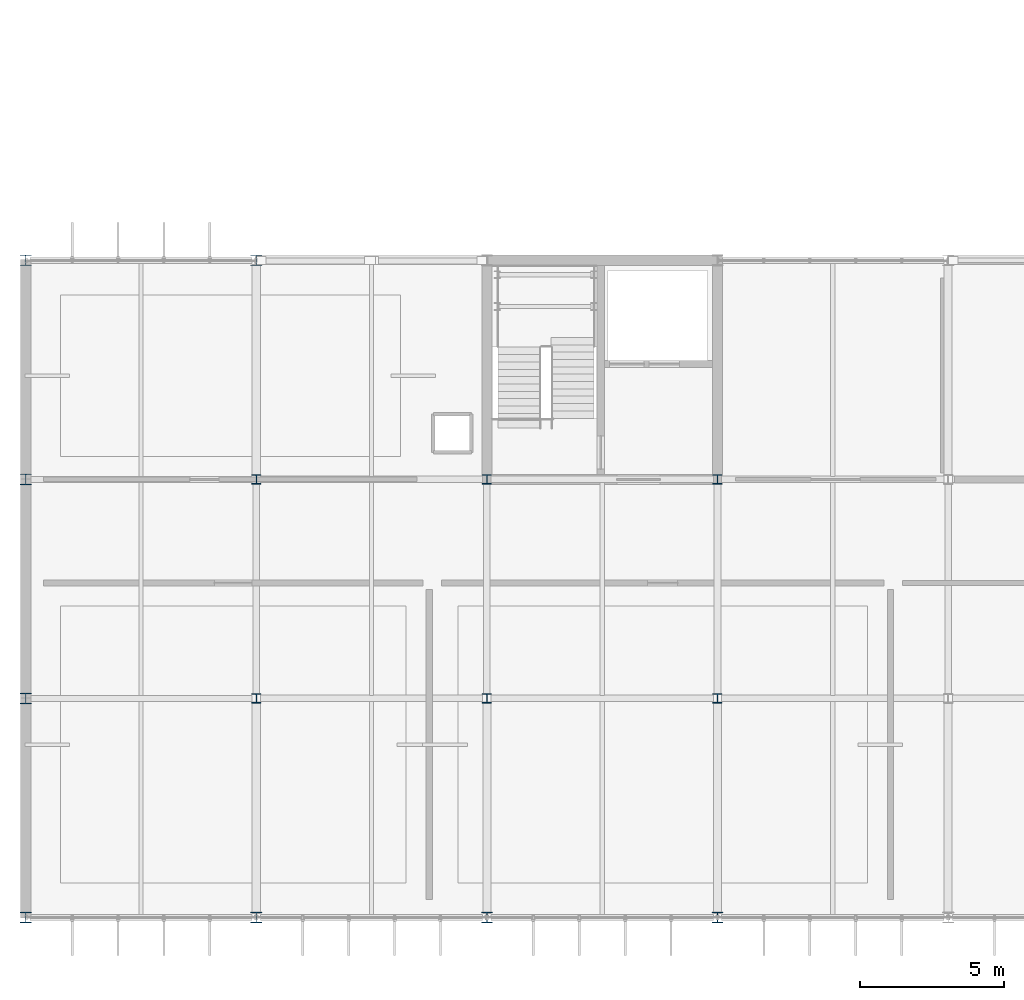
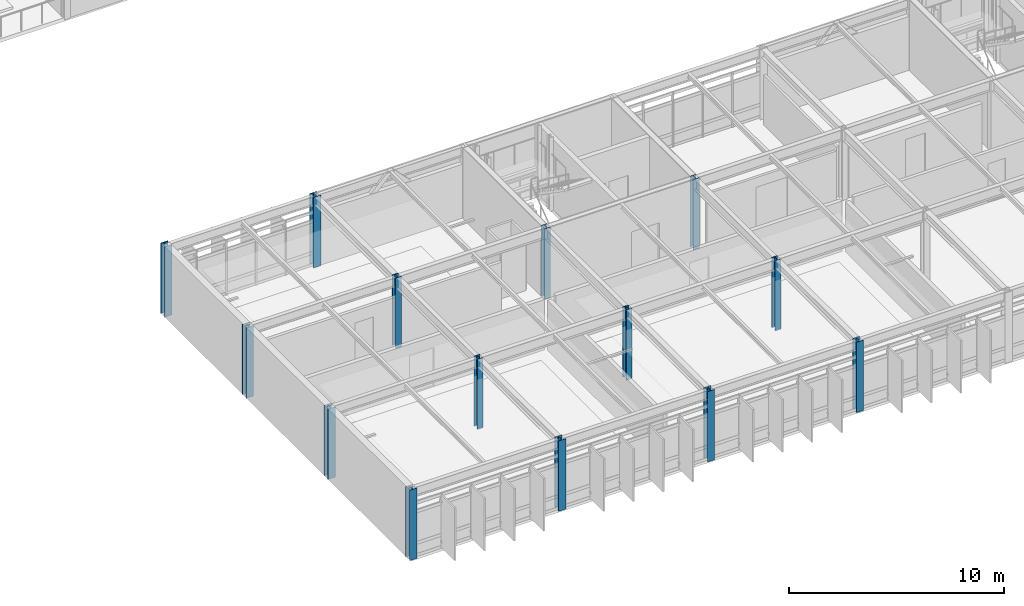
# One storey, part 1 of 85: 14 columns.
"""IFC4 building model written with IfcOpenShell, lengths in metres."""

from ifc_helpers import new_model, si_unit, direction, frame, origin, origin_2d, place, context, subcontext, project, spatial, i_section, extrude, material, material_profile, profile_set, type_object, element, save


model = new_model("IFC4")

# Units and contexts
model_context = context("Model", 3, precision=1e-05, world=origin(), true_north=direction((0.0, 1.0)))
body_context = subcontext(model_context, "Body", "Model", "MODEL_VIEW")
ifc_project = project(units=[si_unit("LENGTHUNIT", "METRE"), si_unit("AREAUNIT", "SQUARE_METRE"), si_unit("VOLUMEUNIT", "CUBIC_METRE"), si_unit("PLANEANGLEUNIT", "RADIAN"), si_unit("MASSUNIT", "GRAM", prefix="KILO")], contexts=[model_context])

# Site, building, storey
site_placement = place(None, origin())
site = spatial("IfcSite", under=ifc_project, at=site_placement, CompositionType="ELEMENT")
building_placement = place(site_placement, origin())
building = spatial("IfcBuilding", under=site, at=building_placement, Name="Zulena Civic Courthouse", CompositionType="ELEMENT")
storey_placement = place(building_placement, frame((0.0, 0.0, 25.199951171875)))
storey = spatial("IfcBuildingStorey", under=building, at=storey_placement, Name="L05", CompositionType="ELEMENT", Elevation=25.199951171875)

# Columns
ifc_material = material(Name="Steel ASTM A992 Grade 50", Category="steel")
ifc_material_profile_1 = material_profile(ifc_material, i_section(OverallWidth=0.31298828125, OverallDepth=0.3330078125, WebThickness=0.01806640625, FlangeThickness=0.0283203125, FilletRadius=0.01513671875, at=origin_2d()), Name="W12X120")
ifc_profile_set_1 = profile_set([ifc_material_profile_1], Name="Steel ASTM A992 Grade 50")
column_type_1 = type_object("IfcColumnType", Name="Col_W12X120", PredefinedType="COLUMN", material=ifc_profile_set_1)
for number, where, z_axis, x_axis, name in (
    (1, (12.0, 7.60009765625, 0.0), (0.0, 0.0, 1.0), (1.0, 0.0, 0.0), "col:V2:L05:12.0:7.6"),
    (2, (12.0, 15.199951171875, 0.0), (0.0, 0.0, 1.0), (1.0, 0.0, 0.0), "col:V2:L05:12.0:15.2"),
    (3, (20.0, 7.60009765625, 0.0), (0.0, 0.0, 1.0), (1.0, 0.0, 0.0), "col:V2:L05:20.0:7.6"),
    (4, (20.0, 15.199951171875, 0.0), (0.0, 0.0, 1.0), (1.0, 0.0, 0.0), "col:V2:L05:20.0:15.2"),
    (5, (28.0, 7.60009765625, 0.0), (0.0, 0.0, 1.0), (1.0, 0.0, 0.0), "col:V2:L05:28.0:7.6"),
    (6, (28.0, 15.199951171875, 0.0), (0.0, 0.0, 1.0), (1.0, 0.0, 0.0), "col:V2:L05:28.0:15.2"),
):
    element("IfcColumn", number, at=place(storey_placement, frame(where, z_axis=z_axis, x_axis=x_axis)), inside=storey, type_object=column_type_1, Name=name, PredefinedType="COLUMN", context=body_context, shape_type="SweptSolid", body=[
        extrude(i_section(OverallWidth=0.31298828125, OverallDepth=0.3330078125, WebThickness=0.01806640625, FlangeThickness=0.0283203125, FilletRadius=0.01513671875, at=origin_2d()), origin(), (0.0, 0.0, 1.0), 3.9951171875),
    ])
ifc_material_profile_2 = material_profile(ifc_material, i_section(OverallWidth=0.373046875, OverallDepth=0.367919921875, WebThickness=0.014892578125, FlangeThickness=0.02392578125, FilletRadius=0.01513671875, at=origin_2d()), Name="W14X120")
ifc_profile_set_2 = profile_set([ifc_material_profile_2], Name="Steel ASTM A992 Grade 50")
column_type_2 = type_object("IfcColumnType", Name="Col_W14X120", PredefinedType="COLUMN", material=ifc_profile_set_2)
for number, where, z_axis, x_axis, name in (
    (7, (20.0, 0.0, 0.0), (0.0, 0.0, 1.0), (1.0, 0.0, 0.0), "col:V2:L05:20.0:0.0"),
    (8, (28.0, 0.0, 0.0), (0.0, 0.0, 1.0), (1.0, 0.0, 0.0), "col:V2:L05:28.0:0.0"),
):
    element("IfcColumn", number, at=place(storey_placement, frame(where, z_axis=z_axis, x_axis=x_axis)), inside=storey, type_object=column_type_2, Name=name, PredefinedType="COLUMN", context=body_context, shape_type="SweptSolid", body=[
        extrude(i_section(OverallWidth=0.373046875, OverallDepth=0.367919921875, WebThickness=0.014892578125, FlangeThickness=0.02392578125, FilletRadius=0.01513671875, at=origin_2d()), origin(), (0.0, 0.0, 1.0), 3.9951171875),
    ])
ifc_material_profile_3 = material_profile(ifc_material, i_section(OverallWidth=0.39404296875, OverallDepth=0.3759765625, WebThickness=0.017333984375, FlangeThickness=0.027587890625, FilletRadius=0.01513671875, at=origin_2d()), Name="W14X145")
ifc_profile_set_3 = profile_set([ifc_material_profile_3], Name="Steel ASTM A992 Grade 50")
column_type_3 = type_object("IfcColumnType", Name="Col_W14X145", PredefinedType="COLUMN", material=ifc_profile_set_3)
for number, where, z_axis, x_axis, name in (
    (9, (4.0, 0.0, 0.0), (0.0, 0.0, 1.0), (1.0, 0.0, 0.0), "col:V2:L05:4.0:0.0"),
    (10, (4.0, 7.60009765625, 0.0), (0.0, 0.0, 1.0), (1.0, 0.0, 0.0), "col:V2:L05:4.0:7.6"),
    (11, (4.0, 15.199951171875, 0.0), (0.0, 0.0, 1.0), (1.0, 0.0, 0.0), "col:V2:L05:4.0:15.2"),
    (12, (4.0, 22.800048828125, 0.0), (0.0, 0.0, 1.0), (1.0, 0.0, 0.0), "col:V2:L05:4.0:22.8"),
    (13, (12.0, 0.0, 0.0), (0.0, 0.0, 1.0), (1.0, 0.0, 0.0), "col:V2:L05:12.0:0.0"),
    (14, (12.0, 22.800048828125, 0.0), (0.0, 0.0, 1.0), (1.0, 0.0, 0.0), "col:V2:L05:12.0:22.8"),
):
    element("IfcColumn", number, at=place(storey_placement, frame(where, z_axis=z_axis, x_axis=x_axis)), inside=storey, type_object=column_type_3, Name=name, PredefinedType="COLUMN", context=body_context, shape_type="SweptSolid", body=[
        extrude(i_section(OverallWidth=0.39404296875, OverallDepth=0.3759765625, WebThickness=0.017333984375, FlangeThickness=0.027587890625, FilletRadius=0.01513671875, at=origin_2d()), origin(), (0.0, 0.0, 1.0), 3.9951171875),
    ])

save(model, "model.ifc")
